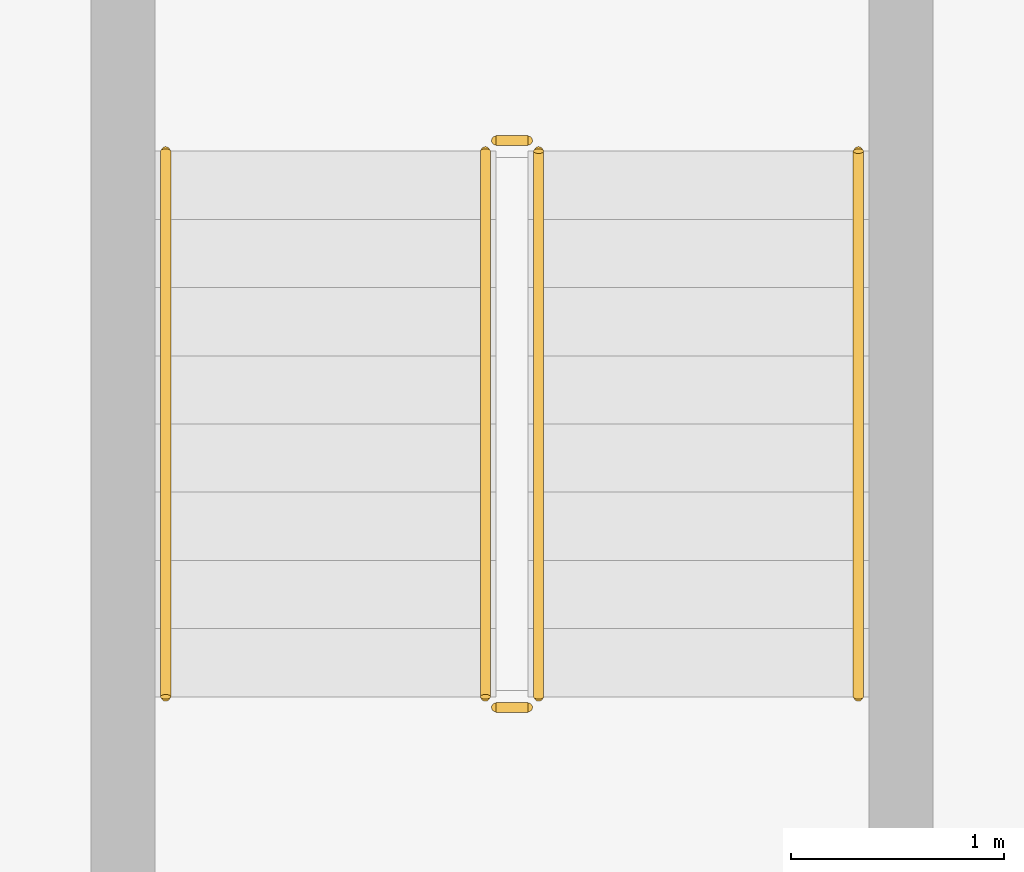
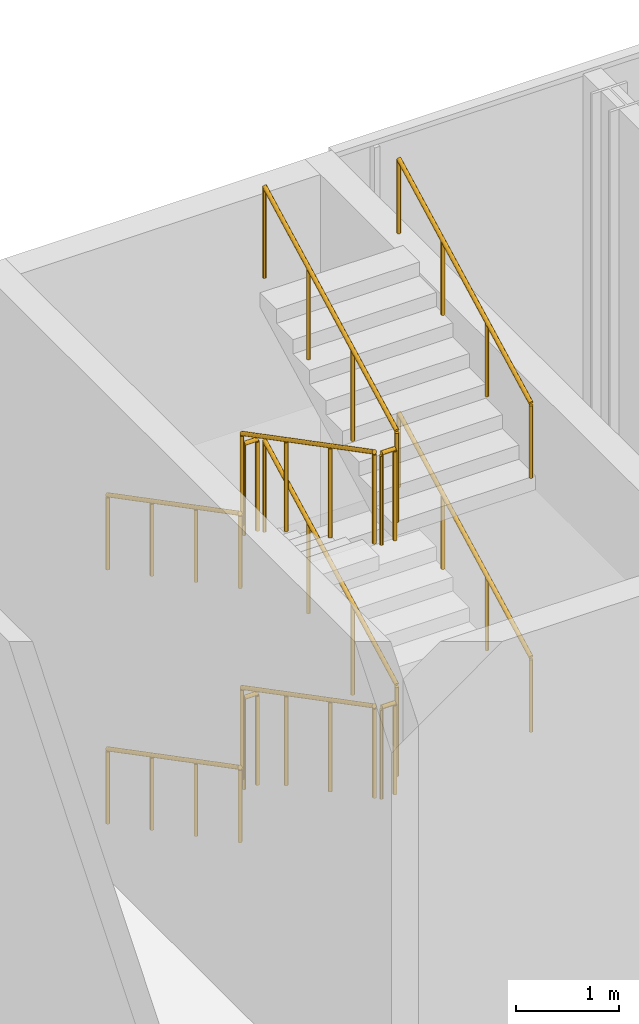
# One storey, part 42 of 44: 12 railings.
"""IFC4 building model written with IfcOpenShell, lengths in metres."""

from ifc_helpers import new_model, si_unit, direction, frame, origin, origin_2d, place, context, subcontext, project, spatial, circle, extrude, material, type_object, element, save


model = new_model("IFC4")

# Units and contexts
model_context = context("Model", 3, precision=1e-05, world=origin(), true_north=direction((0.0, 1.0)))
body_context = subcontext(model_context, "Body", "Model", "MODEL_VIEW")
ifc_project = project(units=[si_unit("LENGTHUNIT", "METRE"), si_unit("AREAUNIT", "SQUARE_METRE"), si_unit("VOLUMEUNIT", "CUBIC_METRE"), si_unit("PLANEANGLEUNIT", "RADIAN"), si_unit("MASSUNIT", "GRAM", prefix="KILO")], contexts=[model_context])

# Site, building, storey
site_placement = place(None, origin())
site = spatial("IfcSite", under=ifc_project, at=site_placement, CompositionType="ELEMENT")
building_placement = place(site_placement, origin())
building = spatial("IfcBuilding", under=site, at=building_placement, Name="Madar Terraces", CompositionType="ELEMENT")
storey_placement = place(building_placement, origin())
storey = spatial("IfcBuildingStorey", under=building, at=storey_placement, Name="L00", CompositionType="ELEMENT", Elevation=0.0)

# Railings
ifc_material_1 = material(Name="Stainless steel railing", Category="steel")
railing_type_1 = type_object("IfcRailingType", Name="Stair guard 1100", PredefinedType="GUARDRAIL", material=ifc_material_1)
railing_1_placement = place(storey_placement, frame((38.25, 55.699951171875, 0.166748046875)))
element("IfcRailing", 1, at=railing_1_placement, inside=storey, type_object=railing_type_1, Name="L00 PS2 stair guard 1", PredefinedType="GUARDRAIL", context=body_context, shape_type="SweptSolid", body=[
    extrude(circle(Radius=0.02392578125, at=origin_2d()), frame((0.0, 0.0, 1.076171875), z_axis=(0.0, -0.886929966286, 0.461903923888), x_axis=(1.0, 0.0, 0.0)), (0.0, 0.0, 1.0), 2.886474609375),
    extrude(circle(Radius=0.02099609375, at=origin_2d()), origin(), (0.0, 0.0, 1.0), 1.052001953125),
    extrude(circle(Radius=0.02099609375, at=origin_2d()), frame((0.0, -0.853271484375, 0.4443359375)), (0.0, 0.0, 1.0), 1.052001953125),
    extrude(circle(Radius=0.02099609375, at=origin_2d()), frame((0.0, -1.706787109375, 0.888916015625)), (0.0, 0.0, 1.0), 1.052001953125),
    extrude(circle(Radius=0.02099609375, at=origin_2d()), frame((0.0, -2.56005859375, 1.333251953125)), (0.0, 0.0, 1.0), 1.052001953125),
])
railing_2_placement = place(storey_placement, frame((38.300048828125, 53.090087890625, 1.5)))
element("IfcRailing", 2, at=railing_2_placement, inside=storey, type_object=railing_type_1, Name="L00 PS2 stair guard 2", PredefinedType="GUARDRAIL", context=body_context, shape_type="SweptSolid", body=[
    extrude(circle(Radius=0.02392578125, at=origin_2d()), frame((0.0, 0.0, 1.076171875), z_axis=(1.0, 0.0, 0.0), x_axis=(0.0, 1.0, 0.0)), (0.0, 0.0, 1.0), 0.14990234375),
    extrude(circle(Radius=0.02099609375, at=origin_2d()), origin(), (0.0, 0.0, 1.0), 1.052001953125),
    extrude(circle(Radius=0.02099609375, at=origin_2d()), frame((0.14990234375, 0.0, 0.0)), (0.0, 0.0, 1.0), 1.052001953125),
])
railing_3_placement = place(storey_placement, frame((38.5, 53.139892578125, 1.666748046875)))
element("IfcRailing", 3, at=railing_3_placement, inside=storey, type_object=railing_type_1, Name="L00 PS2 stair guard 3", PredefinedType="GUARDRAIL", context=body_context, shape_type="SweptSolid", body=[
    extrude(circle(Radius=0.02392578125, at=origin_2d()), frame((0.0, 0.0, 1.076171875), z_axis=(0.0, 0.886929966286, 0.461903923888), x_axis=(-1.0, 0.0, 0.0)), (0.0, 0.0, 1.0), 2.886474609375),
    extrude(circle(Radius=0.02099609375, at=origin_2d()), origin(), (0.0, 0.0, 1.0), 1.052001953125),
    extrude(circle(Radius=0.02099609375, at=origin_2d()), frame((0.0, 0.853271484375, 0.4443359375)), (0.0, 0.0, 1.0), 1.052001953125),
    extrude(circle(Radius=0.02099609375, at=origin_2d()), frame((0.0, 1.706787109375, 0.888916015625)), (0.0, 0.0, 1.0), 1.052001953125),
    extrude(circle(Radius=0.02099609375, at=origin_2d()), frame((0.0, 2.56005859375, 1.333251953125)), (0.0, 0.0, 1.0), 1.052001953125),
])
railing_4_placement = place(storey_placement, frame((38.300048828125, 55.75, 3.0)))
element("IfcRailing", 4, at=railing_4_placement, inside=storey, type_object=railing_type_1, Name="L00 PS2 stair guard 4", PredefinedType="GUARDRAIL", context=body_context, shape_type="SweptSolid", body=[
    extrude(circle(Radius=0.02392578125, at=origin_2d()), frame((0.0, 0.0, 1.076171875), z_axis=(1.0, 0.0, 0.0), x_axis=(0.0, 1.0, 0.0)), (0.0, 0.0, 1.0), 0.14990234375),
    extrude(circle(Radius=0.02099609375, at=origin_2d()), origin(), (0.0, 0.0, 1.0), 1.052001953125),
    extrude(circle(Radius=0.02099609375, at=origin_2d()), frame((0.14990234375, 0.0, 0.0)), (0.0, 0.0, 1.0), 1.052001953125),
])
railing_5_placement = place(storey_placement, frame((38.25, 55.699951171875, 3.166748046875)))
element("IfcRailing", 5, at=railing_5_placement, inside=storey, type_object=railing_type_1, Name="L00 PS2 stair guard 5", PredefinedType="GUARDRAIL", context=body_context, shape_type="SweptSolid", body=[
    extrude(circle(Radius=0.02392578125, at=origin_2d()), frame((0.0, 0.0, 1.076171875), z_axis=(0.0, -0.886929966286, 0.461903923888), x_axis=(1.0, 0.0, 0.0)), (0.0, 0.0, 1.0), 2.886474609375),
    extrude(circle(Radius=0.02099609375, at=origin_2d()), origin(), (0.0, 0.0, 1.0), 1.052001953125),
    extrude(circle(Radius=0.02099609375, at=origin_2d()), frame((0.0, -0.853271484375, 0.4443359375)), (0.0, 0.0, 1.0), 1.052001953125),
    extrude(circle(Radius=0.02099609375, at=origin_2d()), frame((0.0, -1.706787109375, 0.888916015625)), (0.0, 0.0, 1.0), 1.052001953125),
    extrude(circle(Radius=0.02099609375, at=origin_2d()), frame((0.0, -2.56005859375, 1.333251953125)), (0.0, 0.0, 1.0), 1.052001953125),
])
railing_6_placement = place(storey_placement, frame((38.300048828125, 53.090087890625, 4.5)))
element("IfcRailing", 6, at=railing_6_placement, inside=storey, type_object=railing_type_1, Name="L00 PS2 stair guard 6", PredefinedType="GUARDRAIL", context=body_context, shape_type="SweptSolid", body=[
    extrude(circle(Radius=0.02392578125, at=origin_2d()), frame((0.0, 0.0, 1.076171875), z_axis=(1.0, 0.0, 0.0), x_axis=(0.0, 1.0, 0.0)), (0.0, 0.0, 1.0), 0.14990234375),
    extrude(circle(Radius=0.02099609375, at=origin_2d()), origin(), (0.0, 0.0, 1.0), 1.052001953125),
    extrude(circle(Radius=0.02099609375, at=origin_2d()), frame((0.14990234375, 0.0, 0.0)), (0.0, 0.0, 1.0), 1.052001953125),
])
railing_7_placement = place(storey_placement, frame((38.5, 53.139892578125, 4.666748046875)))
element("IfcRailing", 7, at=railing_7_placement, inside=storey, type_object=railing_type_1, Name="L00 PS2 stair guard 7", PredefinedType="GUARDRAIL", context=body_context, shape_type="SweptSolid", body=[
    extrude(circle(Radius=0.02392578125, at=origin_2d()), frame((0.0, 0.0, 1.076171875), z_axis=(0.0, 0.886929966286, 0.461903923888), x_axis=(-1.0, 0.0, 0.0)), (0.0, 0.0, 1.0), 2.886474609375),
    extrude(circle(Radius=0.02099609375, at=origin_2d()), origin(), (0.0, 0.0, 1.0), 1.052001953125),
    extrude(circle(Radius=0.02099609375, at=origin_2d()), frame((0.0, 0.853271484375, 0.4443359375)), (0.0, 0.0, 1.0), 1.052001953125),
    extrude(circle(Radius=0.02099609375, at=origin_2d()), frame((0.0, 1.706787109375, 0.888916015625)), (0.0, 0.0, 1.0), 1.052001953125),
    extrude(circle(Radius=0.02099609375, at=origin_2d()), frame((0.0, 2.56005859375, 1.333251953125)), (0.0, 0.0, 1.0), 1.052001953125),
])
railing_8_placement = place(storey_placement, frame((38.300048828125, 55.75, 0.0)))
element("IfcRailing", 8, at=railing_8_placement, inside=storey, type_object=railing_type_1, Name="L00 PS2 stair guard 8", PredefinedType="GUARDRAIL", context=body_context, shape_type="SweptSolid", body=[
    extrude(circle(Radius=0.02392578125, at=origin_2d()), frame((0.0, 0.0, 1.076171875), z_axis=(1.0, 0.0, 0.0), x_axis=(0.0, 1.0, 0.0)), (0.0, 0.0, 1.0), 0.14990234375),
    extrude(circle(Radius=0.02099609375, at=origin_2d()), origin(), (0.0, 0.0, 1.0), 1.052001953125),
    extrude(circle(Radius=0.02099609375, at=origin_2d()), frame((0.14990234375, 0.0, 0.0)), (0.0, 0.0, 1.0), 1.052001953125),
])
ifc_material_2 = material(Name="Stainless steel railing", Category="steel")
railing_type_2 = type_object("IfcRailingType", Name="Stair handrail 900", PredefinedType="HANDRAIL", material=ifc_material_2)
railing_9_placement = place(storey_placement, frame((36.75, 55.699951171875, 0.166748046875)))
element("IfcRailing", 9, at=railing_9_placement, inside=storey, type_object=railing_type_2, Name="L00 PS2 stair handrail 1", PredefinedType="HANDRAIL", context=body_context, shape_type="SweptSolid", body=[
    extrude(circle(Radius=0.02392578125, at=origin_2d()), frame((0.0, 0.0, 0.8759765625), z_axis=(0.0, -0.886929966286, 0.461903923888), x_axis=(1.0, 0.0, 0.0)), (0.0, 0.0, 1.0), 2.886474609375),
    extrude(circle(Radius=0.02099609375, at=origin_2d()), origin(), (0.0, 0.0, 1.0), 0.851806640625),
    extrude(circle(Radius=0.02099609375, at=origin_2d()), frame((0.0, -0.853271484375, 0.4443359375)), (0.0, 0.0, 1.0), 0.851806640625),
    extrude(circle(Radius=0.02099609375, at=origin_2d()), frame((0.0, -1.706787109375, 0.888916015625)), (0.0, 0.0, 1.0), 0.851806640625),
    extrude(circle(Radius=0.02099609375, at=origin_2d()), frame((0.0, -2.56005859375, 1.333251953125)), (0.0, 0.0, 1.0), 0.851806640625),
])
railing_10_placement = place(storey_placement, frame((40.0, 53.139892578125, 1.666748046875)))
element("IfcRailing", 10, at=railing_10_placement, inside=storey, type_object=railing_type_2, Name="L00 PS2 stair handrail 2", PredefinedType="HANDRAIL", context=body_context, shape_type="SweptSolid", body=[
    extrude(circle(Radius=0.02392578125, at=origin_2d()), frame((0.0, 0.0, 0.8759765625), z_axis=(0.0, 0.886929966286, 0.461903923888), x_axis=(-1.0, 0.0, 0.0)), (0.0, 0.0, 1.0), 2.886474609375),
    extrude(circle(Radius=0.02099609375, at=origin_2d()), origin(), (0.0, 0.0, 1.0), 0.851806640625),
    extrude(circle(Radius=0.02099609375, at=origin_2d()), frame((0.0, 0.853271484375, 0.4443359375)), (0.0, 0.0, 1.0), 0.851806640625),
    extrude(circle(Radius=0.02099609375, at=origin_2d()), frame((0.0, 1.706787109375, 0.888916015625)), (0.0, 0.0, 1.0), 0.851806640625),
    extrude(circle(Radius=0.02099609375, at=origin_2d()), frame((0.0, 2.56005859375, 1.333251953125)), (0.0, 0.0, 1.0), 0.851806640625),
])
railing_11_placement = place(storey_placement, frame((36.75, 55.699951171875, 3.166748046875)))
element("IfcRailing", 11, at=railing_11_placement, inside=storey, type_object=railing_type_2, Name="L00 PS2 stair handrail 3", PredefinedType="HANDRAIL", context=body_context, shape_type="SweptSolid", body=[
    extrude(circle(Radius=0.02392578125, at=origin_2d()), frame((0.0, 0.0, 0.8759765625), z_axis=(0.0, -0.886929966286, 0.461903923888), x_axis=(1.0, 0.0, 0.0)), (0.0, 0.0, 1.0), 2.886474609375),
    extrude(circle(Radius=0.02099609375, at=origin_2d()), origin(), (0.0, 0.0, 1.0), 0.851806640625),
    extrude(circle(Radius=0.02099609375, at=origin_2d()), frame((0.0, -0.853271484375, 0.4443359375)), (0.0, 0.0, 1.0), 0.851806640625),
    extrude(circle(Radius=0.02099609375, at=origin_2d()), frame((0.0, -1.706787109375, 0.888916015625)), (0.0, 0.0, 1.0), 0.851806640625),
    extrude(circle(Radius=0.02099609375, at=origin_2d()), frame((0.0, -2.56005859375, 1.333251953125)), (0.0, 0.0, 1.0), 0.851806640625),
])
railing_12_placement = place(storey_placement, frame((40.0, 53.139892578125, 4.666748046875)))
element("IfcRailing", 12, at=railing_12_placement, inside=storey, type_object=railing_type_2, Name="L00 PS2 stair handrail 4", PredefinedType="HANDRAIL", context=body_context, shape_type="SweptSolid", body=[
    extrude(circle(Radius=0.02392578125, at=origin_2d()), frame((0.0, 0.0, 0.8759765625), z_axis=(0.0, 0.886929966286, 0.461903923888), x_axis=(-1.0, 0.0, 0.0)), (0.0, 0.0, 1.0), 2.886474609375),
    extrude(circle(Radius=0.02099609375, at=origin_2d()), origin(), (0.0, 0.0, 1.0), 0.851806640625),
    extrude(circle(Radius=0.02099609375, at=origin_2d()), frame((0.0, 0.853271484375, 0.4443359375)), (0.0, 0.0, 1.0), 0.851806640625),
    extrude(circle(Radius=0.02099609375, at=origin_2d()), frame((0.0, 1.706787109375, 0.888916015625)), (0.0, 0.0, 1.0), 0.851806640625),
    extrude(circle(Radius=0.02099609375, at=origin_2d()), frame((0.0, 2.56005859375, 1.333251953125)), (0.0, 0.0, 1.0), 0.851806640625),
])

save(model, "model.ifc")
